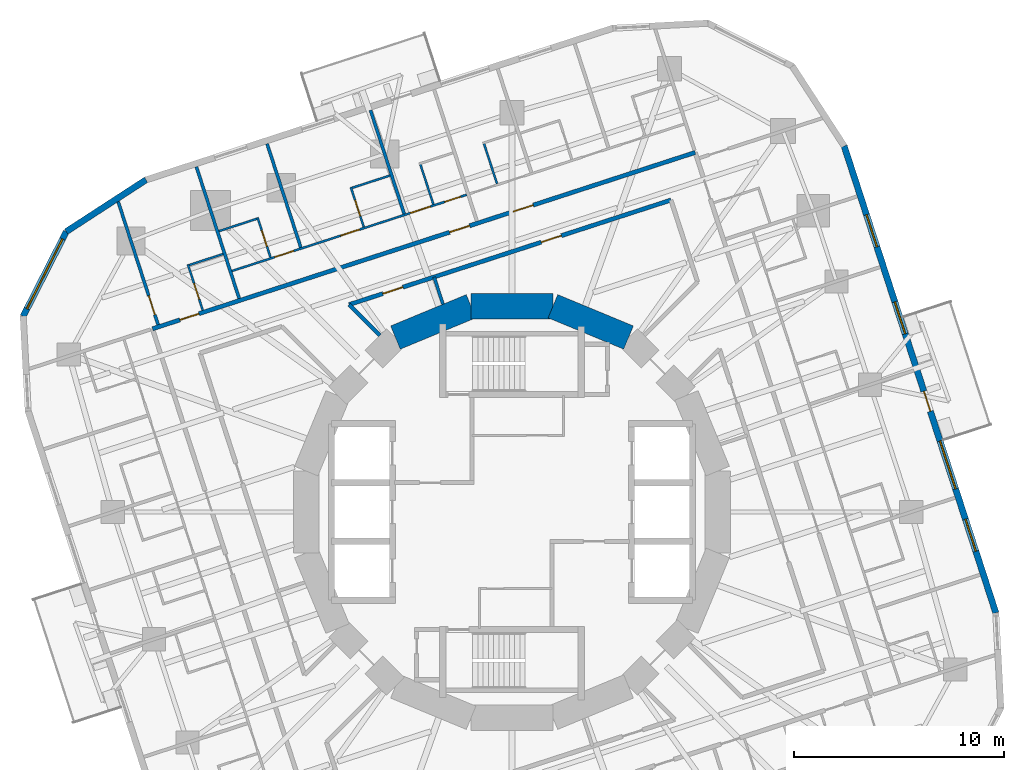
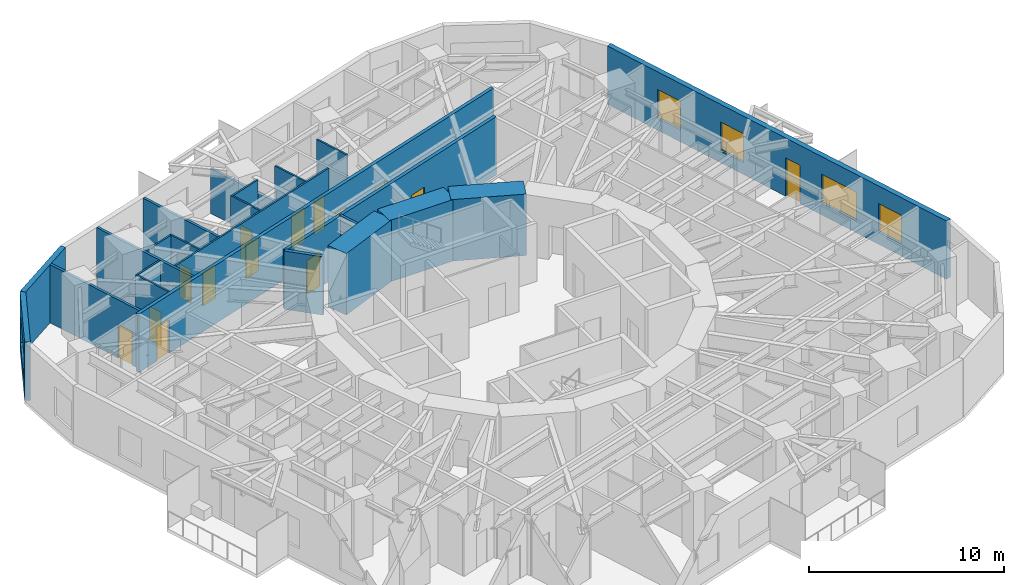
# One storey, part 9 of 13: 23 walls, 14 doors, 5 windows, 19 openings.
"""IFC4 building model written with IfcOpenShell, lengths in metres."""

from ifc_helpers import new_model, si_unit, direction, frame, frame_2d, origin, place, context, subcontext, project, spatial, rectangle, extrude, material, layer, layer_set, type_object, element, fill, save


model = new_model("IFC4")

# Units and contexts
model_context = context("Model", 3, precision=1e-05, world=origin(), true_north=direction((0.0, 1.0)))
body_context = subcontext(model_context, "Body", "Model", "MODEL_VIEW")
ifc_project = project(units=[si_unit("LENGTHUNIT", "METRE"), si_unit("AREAUNIT", "SQUARE_METRE"), si_unit("VOLUMEUNIT", "CUBIC_METRE"), si_unit("PLANEANGLEUNIT", "RADIAN"), si_unit("MASSUNIT", "GRAM", prefix="KILO")], contexts=[model_context])

# Site, building, storey
site_placement = place(None, origin())
site = spatial("IfcSite", under=ifc_project, at=site_placement, CompositionType="ELEMENT")
building_placement = place(site_placement, origin())
building = spatial("IfcBuilding", under=site, at=building_placement, Name="Nakasero Lantern House", CompositionType="ELEMENT")
storey_placement = place(building_placement, frame((0.0, 0.0, 161.050048828125)))
storey = spatial("IfcBuildingStorey", under=building, at=storey_placement, Name="L39", CompositionType="ELEMENT", Elevation=161.050048828125)

# Wall, openings, doors
ifc_material_1 = material(Name="Blockwork", Category="masonry")
ifc_layer_1 = layer(ifc_material_1, 0.10009765625)
ifc_layer_set_1 = layer_set([ifc_layer_1], Name="Cluster hall wall 100")
wall_type_1 = type_object("IfcWallType", Name="Cluster hall wall 100", PredefinedType="PARTITIONING", material=ifc_layer_set_1)
wall_1_placement = place(storey_placement, frame((-2.161865234375, 15.1220703125, 0.0), z_axis=(0.0, 0.0, 1.0), x_axis=(-0.9510590769, -0.309009113534, 0.0)))
wall_1 = element("IfcWall", 1, at=wall_1_placement, inside=storey, type_object=wall_type_1, Name="Cluster hall wall L39 HW1-1", PredefinedType="PARTITIONING", context=body_context, shape_type="SweptSolid", body=[
    extrude(rectangle(XDim=11.76416015625, YDim=0.10009765625, at=frame_2d((5.882080078125, 0.0))), origin(), (0.0, 0.0, 1.0), 3.64990234375),
])
opening_1_placement = place(wall_1_placement, frame((1.81396484375, 0.0, 0.0)))
opening_1 = element("IfcOpeningElement", 2, at=opening_1_placement, cuts=wall_1, Name="Opening D03", PredefinedType="OPENING", context=body_context, shape_type="SweptSolid", body=[
    extrude(rectangle(XDim=1.0, YDim=2.10009765625, at=frame_2d((0.5, 1.050048828125))), frame((0.0, 0.070068359375, 0.0), z_axis=(0.0, -1.0, 0.0), x_axis=(1.0, 0.0, 0.0)), (0.0, 0.0, 1.0), 0.14013671875),
])
opening_2_placement = place(wall_1_placement, frame((0.300048828125, 0.0, 0.0)))
opening_2 = element("IfcOpeningElement", 3, at=opening_2_placement, cuts=wall_1, Name="Opening D02", PredefinedType="OPENING", context=body_context, shape_type="SweptSolid", body=[
    extrude(rectangle(XDim=0.800048828125, YDim=2.10009765625, at=frame_2d((0.39990234375, 1.050048828125))), frame((0.0, 0.070068359375, 0.0), z_axis=(0.0, -1.0, 0.0), x_axis=(1.0, 0.0, 0.0)), (0.0, 0.0, 1.0), 0.14013671875),
])
opening_3_placement = place(wall_1_placement, frame((5.364013671875, 0.0, 0.0)))
opening_3 = element("IfcOpeningElement", 4, at=opening_3_placement, cuts=wall_1, Name="Opening D01", PredefinedType="OPENING", context=body_context, shape_type="SweptSolid", body=[
    extrude(rectangle(XDim=0.949951171875, YDim=2.10009765625, at=frame_2d((0.47509765625, 1.050048828125))), frame((0.0, 0.070068359375, 0.0), z_axis=(0.0, -1.0, 0.0), x_axis=(1.0, 0.0, 0.0)), (0.0, 0.0, 1.0), 0.14013671875),
])
opening_4_placement = place(wall_1_placement, frame((8.670166015625, 0.0, 0.0)))
opening_4 = element("IfcOpeningElement", 5, at=opening_4_placement, cuts=wall_1, Name="Opening D01", PredefinedType="OPENING", context=body_context, shape_type="SweptSolid", body=[
    extrude(rectangle(XDim=0.949951171875, YDim=2.10009765625, at=frame_2d((0.47509765625, 1.050048828125))), frame((0.0, 0.070068359375, 0.0), z_axis=(0.0, -1.0, 0.0), x_axis=(1.0, 0.0, 0.0)), (0.0, 0.0, 1.0), 0.14013671875),
])
ifc_material_2 = material(Name="Timber C24", Category="wood")
door_type_1 = type_object("IfcDoorType", Name="Bedroom door FD30S 950", OperationType="SINGLE_SWING_LEFT", PredefinedType="DOOR", material=ifc_material_2)
door_1_placement = place(opening_3_placement, origin())
door_1 = element("IfcDoor", 6, at=door_1_placement, inside=storey, type_object=door_type_1, Name="Door L39 D1-04", OperationType="SINGLE_SWING_LEFT", OverallHeight=2.10009765625, OverallWidth=0.949951171875, PredefinedType="DOOR", context=body_context, shape_type="SweptSolid", body=[
    extrude(rectangle(XDim=0.949951171875, YDim=2.10009765625, at=frame_2d((0.47509765625, 1.050048828125))), frame((0.0, 0.02490234375, 0.0), z_axis=(0.0, -1.0, 0.0), x_axis=(1.0, 0.0, 0.0)), (0.0, 0.0, 1.0), 0.050048828125),
])
fill(opening_3, door_1)
door_2_placement = place(opening_4_placement, origin())
door_2 = element("IfcDoor", 7, at=door_2_placement, inside=storey, type_object=door_type_1, Name="Door L39 D1-05", OperationType="SINGLE_SWING_RIGHT", OverallHeight=2.10009765625, OverallWidth=0.949951171875, PredefinedType="DOOR", context=body_context, shape_type="SweptSolid", body=[
    extrude(rectangle(XDim=0.949951171875, YDim=2.10009765625, at=frame_2d((0.47509765625, 1.050048828125))), frame((0.0, 0.02490234375, 0.0), z_axis=(0.0, -1.0, 0.0), x_axis=(1.0, 0.0, 0.0)), (0.0, 0.0, 1.0), 0.050048828125),
])
fill(opening_4, door_2)
ifc_material_3 = material(Name="Timber C24", Category="wood")
door_type_2 = type_object("IfcDoorType", Name="En-suite door 800", OperationType="SINGLE_SWING_RIGHT", PredefinedType="DOOR", material=ifc_material_3)
door_3_placement = place(opening_2_placement, origin())
door_3 = element("IfcDoor", 8, at=door_3_placement, inside=storey, type_object=door_type_2, Name="Door L39 DSH1-1", OperationType="SINGLE_SWING_LEFT", OverallHeight=2.10009765625, OverallWidth=0.800048828125, PredefinedType="DOOR", context=body_context, shape_type="SweptSolid", body=[
    extrude(rectangle(XDim=0.800048828125, YDim=2.10009765625, at=frame_2d((0.39990234375, 1.050048828125))), frame((0.0, 0.02490234375, 0.0), z_axis=(0.0, -1.0, 0.0), x_axis=(1.0, 0.0, 0.0)), (0.0, 0.0, 1.0), 0.050048828125),
])
fill(opening_2, door_3)
ifc_material_4 = material(Name="Timber C24", Category="wood")
door_type_3 = type_object("IfcDoorType", Name="Lounge door FD30S 1000", OperationType="SINGLE_SWING_LEFT", PredefinedType="DOOR", material=ifc_material_4)
door_4_placement = place(opening_1_placement, origin())
door_4 = element("IfcDoor", 9, at=door_4_placement, inside=storey, type_object=door_type_3, Name="Door L39 DH1-1", OperationType="SINGLE_SWING_LEFT", OverallHeight=2.10009765625, OverallWidth=1.0, PredefinedType="DOOR", context=body_context, shape_type="SweptSolid", body=[
    extrude(rectangle(XDim=1.0, YDim=2.10009765625, at=frame_2d((0.5, 1.050048828125))), frame((0.0, 0.02490234375, 0.0), z_axis=(0.0, -1.0, 0.0), x_axis=(1.0, 0.0, 0.0)), (0.0, 0.0, 1.0), 0.050048828125),
])
fill(opening_1, door_4)

# Walls
ifc_material_5 = material(Name="Concrete C50/60", Category="concrete")
ifc_layer_2 = layer(ifc_material_5, 1.199951171875)
ifc_layer_set_2 = layer_set([ifc_layer_2], Name="Core wall 1200")
wall_type_2 = type_object("IfcWallType", Name="Core wall 1200", PredefinedType="SHEAR", material=ifc_layer_set_2)
for number, where, z_axis, x_axis, name in (
    (10, (5.5556640625, 8.314697265625, 0.0), (0.0, 0.0, 1.0), (-0.923876507187, 0.382690736062, 0.0), "Core wall L39 facet 3"),
    (11, (1.950927734375, 9.807861328125, 0.0), (0.0, 0.0, 1.0), (-1.0, 0.0, 0.0), "Core wall L39 facet 4"),
    (12, (-1.950927734375, 9.807861328125, 0.0), (0.0, 0.0, 1.0), (-0.923876507187, -0.382690736062, 0.0), "Core wall L39 facet 5"),
):
    element("IfcWall", number, at=place(storey_placement, frame(where, z_axis=z_axis, x_axis=x_axis)), inside=storey, type_object=wall_type_2, Name=name, PredefinedType="SHEAR", context=body_context, shape_type="SweptSolid", body=[
        extrude(rectangle(XDim=3.90185546875, YDim=1.199951171875, at=frame_2d((1.950927734375, 0.0))), origin(), (0.0, 0.0, 1.0), 3.849853515625),
    ])

# Wall, openings, doors
ifc_material_6 = material(Name="Blockwork", Category="masonry")
ifc_layer_3 = layer(ifc_material_6, 0.199951171875)
ifc_layer_set_3 = layer_set([ifc_layer_3], Name="Corridor wall 200")
wall_type_3 = type_object("IfcWallType", Name="Corridor wall 200", PredefinedType="PARTITIONING", material=ifc_layer_set_3)
wall_2_placement = place(storey_placement, frame((8.731689453125, 17.136962890625, 0.0), z_axis=(0.0, 0.0, 1.0), x_axis=(-0.951056097323, -0.309018283835, 0.0)))
wall_2 = element("IfcWall", 13, at=wall_2_placement, inside=storey, type_object=wall_type_3, Name="Corridor wall L39 CW1", PredefinedType="PARTITIONING", context=body_context, shape_type="SweptSolid", body=[
    extrude(rectangle(XDim=27.199951171875, YDim=0.199951171875, at=frame_2d((13.60009765625, 0.0))), origin(), (0.0, 0.0, 1.0), 3.64990234375),
])
opening_5_placement = place(wall_2_placement, frame((8.118896484375, 0.0, 0.0)))
opening_5 = element("IfcOpeningElement", 14, at=opening_5_placement, cuts=wall_2, Name="Opening D14", PredefinedType="OPENING", context=body_context, shape_type="SweptSolid", body=[
    extrude(rectangle(XDim=1.0, YDim=2.10009765625, at=frame_2d((0.5, 1.050048828125))), frame((0.0, 0.119873046875, 0.0), z_axis=(0.0, -1.0, 0.0), x_axis=(1.0, 0.0, 0.0)), (0.0, 0.0, 1.0), 0.239990234375),
])
opening_6_placement = place(wall_2_placement, frame((11.30810546875, 0.0, 0.0)))
opening_6 = element("IfcOpeningElement", 15, at=opening_6_placement, cuts=wall_2, Name="Opening D14", PredefinedType="OPENING", context=body_context, shape_type="SweptSolid", body=[
    extrude(rectangle(XDim=1.0, YDim=2.10009765625, at=frame_2d((0.5, 1.050048828125))), frame((0.0, 0.119873046875, 0.0), z_axis=(0.0, -1.0, 0.0), x_axis=(1.0, 0.0, 0.0)), (0.0, 0.0, 1.0), 0.239990234375),
])
opening_7_placement = place(wall_2_placement, frame((24.872314453125, 0.0, 0.0)))
opening_7 = element("IfcOpeningElement", 16, at=opening_7_placement, cuts=wall_2, Name="Opening D01", PredefinedType="OPENING", context=body_context, shape_type="SweptSolid", body=[
    extrude(rectangle(XDim=0.949951171875, YDim=2.10009765625, at=frame_2d((0.47509765625, 1.050048828125))), frame((0.0, 0.119873046875, 0.0), z_axis=(0.0, -1.0, 0.0), x_axis=(1.0, 0.0, 0.0)), (0.0, 0.0, 1.0), 0.239990234375),
])
door_5_placement = place(opening_7_placement, origin())
door_5 = element("IfcDoor", 17, at=door_5_placement, inside=storey, type_object=door_type_1, Name="Door L39 D1-06", OperationType="SINGLE_SWING_RIGHT", OverallHeight=2.10009765625, OverallWidth=0.949951171875, PredefinedType="DOOR", context=body_context, shape_type="SweptSolid", body=[
    extrude(rectangle(XDim=0.949951171875, YDim=2.10009765625, at=frame_2d((0.47509765625, 1.050048828125))), frame((0.0, 0.02490234375, 0.0), z_axis=(0.0, -1.0, 0.0), x_axis=(1.0, 0.0, 0.0)), (0.0, 0.0, 1.0), 0.050048828125),
])
fill(opening_7, door_5)
ifc_material_7 = material(Name="Timber C24", Category="wood")
door_type_4 = type_object("IfcDoorType", Name="Cluster entrance door FD30S 1000", OperationType="SINGLE_SWING_LEFT", PredefinedType="DOOR", material=ifc_material_7)
door_6_placement = place(opening_5_placement, origin())
door_6 = element("IfcDoor", 18, at=door_6_placement, inside=storey, type_object=door_type_4, Name="Door L39 DF1-0", OperationType="SINGLE_SWING_LEFT", OverallHeight=2.10009765625, OverallWidth=1.0, PredefinedType="DOOR", context=body_context, shape_type="SweptSolid", body=[
    extrude(rectangle(XDim=1.0, YDim=2.10009765625, at=frame_2d((0.5, 1.050048828125))), frame((0.0, 0.02490234375, 0.0), z_axis=(0.0, -1.0, 0.0), x_axis=(1.0, 0.0, 0.0)), (0.0, 0.0, 1.0), 0.050048828125),
])
fill(opening_5, door_6)
door_7_placement = place(opening_6_placement, origin())
door_7 = element("IfcDoor", 19, at=door_7_placement, inside=storey, type_object=door_type_4, Name="Door L39 DF1-1", OperationType="SINGLE_SWING_LEFT", OverallHeight=2.10009765625, OverallWidth=1.0, PredefinedType="DOOR", context=body_context, shape_type="SweptSolid", body=[
    extrude(rectangle(XDim=1.0, YDim=2.10009765625, at=frame_2d((0.5, 1.050048828125))), frame((0.0, 0.02490234375, 0.0), z_axis=(0.0, -1.0, 0.0), x_axis=(1.0, 0.0, 0.0)), (0.0, 0.0, 1.0), 0.050048828125),
])
fill(opening_6, door_7)

wall_3_placement = place(storey_placement, frame((7.576171875, 14.868896484375, 0.0), z_axis=(0.0, 0.0, 1.0), x_axis=(-0.951056647235, -0.309016591385, 0.0)))
wall_3 = element("IfcWall", 20, at=wall_3_placement, inside=storey, type_object=wall_type_3, Name="Corridor wall L39 IW1-0", PredefinedType="PARTITIONING", context=body_context, shape_type="SweptSolid", body=[
    extrude(rectangle(XDim=16.12890625, YDim=0.199951171875, at=frame_2d((8.064453125, 0.0))), origin(), (0.0, 0.0, 1.0), 3.64990234375),
])
opening_8_placement = place(wall_3_placement, frame((5.49755859375, 0.0, 0.0)))
opening_8 = element("IfcOpeningElement", 21, at=opening_8_placement, cuts=wall_3, Name="Opening D07", PredefinedType="OPENING", context=body_context, shape_type="SweptSolid", body=[
    extrude(rectangle(XDim=1.0, YDim=2.10009765625, at=frame_2d((0.5, 1.050048828125))), frame((0.0, 0.119873046875, 0.0), z_axis=(0.0, -1.0, 0.0), x_axis=(1.0, 0.0, 0.0)), (0.0, 0.0, 1.0), 0.239990234375),
])
opening_9_placement = place(wall_3_placement, frame((13.43701171875, 0.0, 0.0)))
opening_9 = element("IfcOpeningElement", 22, at=opening_9_placement, cuts=wall_3, Name="Opening D07", PredefinedType="OPENING", context=body_context, shape_type="SweptSolid", body=[
    extrude(rectangle(XDim=1.0, YDim=2.10009765625, at=frame_2d((0.5, 1.050048828125))), frame((0.0, 0.119873046875, 0.0), z_axis=(0.0, -1.0, 0.0), x_axis=(1.0, 0.0, 0.0)), (0.0, 0.0, 1.0), 0.239990234375),
])
ifc_material_8 = material(Name="Timber C24", Category="wood")
door_type_5 = type_object("IfcDoorType", Name="Room door FD30S 1000", OperationType="SINGLE_SWING_LEFT", PredefinedType="DOOR", material=ifc_material_8)
door_8_placement = place(opening_8_placement, origin())
door_8 = element("IfcDoor", 23, at=door_8_placement, inside=storey, type_object=door_type_5, Name="Door L39 DI6", OperationType="SINGLE_SWING_LEFT", OverallHeight=2.10009765625, OverallWidth=1.0, PredefinedType="DOOR", context=body_context, shape_type="SweptSolid", body=[
    extrude(rectangle(XDim=1.0, YDim=2.10009765625, at=frame_2d((0.5, 1.050048828125))), frame((0.0, 0.02490234375, 0.0), z_axis=(0.0, -1.0, 0.0), x_axis=(1.0, 0.0, 0.0)), (0.0, 0.0, 1.0), 0.050048828125),
])
fill(opening_8, door_8)
door_9_placement = place(opening_9_placement, origin())
door_9 = element("IfcDoor", 24, at=door_9_placement, inside=storey, type_object=door_type_5, Name="Door L39 DI7", OperationType="SINGLE_SWING_RIGHT", OverallHeight=2.10009765625, OverallWidth=1.0, PredefinedType="DOOR", context=body_context, shape_type="SweptSolid", body=[
    extrude(rectangle(XDim=1.0, YDim=2.10009765625, at=frame_2d((0.5, 1.050048828125))), frame((0.0, 0.02490234375, 0.0), z_axis=(0.0, -1.0, 0.0), x_axis=(1.0, 0.0, 0.0)), (0.0, 0.0, 1.0), 0.050048828125),
])
fill(opening_9, door_9)

# Walls
wall_4_placement = place(storey_placement, frame((-6.298828125, 8.420166015625, 0.0), z_axis=(0.0, 0.0, 1.0), x_axis=(-0.707106781187, 0.707106781187, 0.0)))
element("IfcWall", 25, at=wall_4_placement, inside=storey, type_object=wall_type_3, Name="Corridor wall L39 PS06b", PredefinedType="PARTITIONING", context=body_context, shape_type="SweptSolid", body=[
    extrude(rectangle(XDim=2.0712890625, YDim=0.199951171875, at=frame_2d((1.03564453125, 0.0))), origin(), (0.0, 0.0, 1.0), 3.64990234375),
])
ifc_material_9 = material(Name="Blockwork", Category="masonry")
ifc_layer_4 = layer(ifc_material_9, 0.10009765625)
ifc_layer_set_4 = layer_set([ifc_layer_4], Name="En-suite wall 100")
wall_type_4 = type_object("IfcWallType", Name="En-suite wall 100", PredefinedType="PARTITIONING", material=ifc_layer_set_4)
for number, where, z_axis, x_axis, name in (
    (26, (-0.713623046875, 15.645263671875, 0.0), (0.0, 0.0, 1.0), (-0.308999325213, 0.951062257173, 0.0), "En-suite wall L39 SS1-0"),
    (27, (-3.74658203125, 14.65966796875, 0.0), (0.0, 0.0, 1.0), (-0.308999325213, 0.951062257173, 0.0), "En-suite wall L39 SS1-1"),
):
    element("IfcWall", number, at=place(storey_placement, frame(where, z_axis=z_axis, x_axis=x_axis)), inside=storey, type_object=wall_type_4, Name=name, PredefinedType="PARTITIONING", context=body_context, shape_type="SweptSolid", body=[
        extrude(rectangle(XDim=2.10009765625, YDim=0.10009765625, at=frame_2d((1.050048828125, 0.0))), origin(), (0.0, 0.0, 1.0), 3.64990234375),
    ])

# Wall, opening, door
wall_5_placement = place(storey_placement, frame((-7.064697265625, 13.58154296875, 0.0), z_axis=(0.0, 0.0, 1.0), x_axis=(-0.309077791808, 0.951036759863, 0.0)))
wall_5 = element("IfcWall", 28, at=wall_5_placement, inside=storey, type_object=wall_type_4, Name="En-suite wall L39 ES1-04", PredefinedType="PARTITIONING", context=body_context, shape_type="SweptSolid", body=[
    extrude(rectangle(XDim=2.0, YDim=0.10009765625, at=frame_2d((1.0, 0.0))), origin(), (0.0, 0.0, 1.0), 3.64990234375),
])
opening_10_placement = place(wall_5_placement, frame((0.550048828125, 0.0, 0.0)))
opening_10 = element("IfcOpeningElement", 29, at=opening_10_placement, cuts=wall_5, Name="Opening D02", PredefinedType="OPENING", context=body_context, shape_type="SweptSolid", body=[
    extrude(rectangle(XDim=0.800048828125, YDim=2.10009765625, at=frame_2d((0.39990234375, 1.050048828125))), frame((0.0, 0.070068359375, 0.0), z_axis=(0.0, -1.0, 0.0), x_axis=(1.0, 0.0, 0.0)), (0.0, 0.0, 1.0), 0.14013671875),
])
door_10_placement = place(opening_10_placement, origin())
door_10 = element("IfcDoor", 30, at=door_10_placement, inside=storey, type_object=door_type_2, Name="Door L39 DE1-04", OperationType="SINGLE_SWING_LEFT", OverallHeight=2.10009765625, OverallWidth=0.800048828125, PredefinedType="DOOR", context=body_context, shape_type="SweptSolid", body=[
    extrude(rectangle(XDim=0.800048828125, YDim=2.10009765625, at=frame_2d((0.39990234375, 1.050048828125))), frame((0.0, 0.02490234375, 0.0), z_axis=(0.0, -1.0, 0.0), x_axis=(1.0, 0.0, 0.0)), (0.0, 0.0, 1.0), 0.050048828125),
])
fill(opening_10, door_10)

# Wall
wall_6_placement = place(storey_placement, frame((-5.812744140625, 16.038818359375, 0.0), z_axis=(0.0, 0.0, 1.0), x_axis=(-0.951058615481, -0.309010533671, 0.0)))
element("IfcWall", 31, at=wall_6_placement, inside=storey, type_object=wall_type_4, Name="En-suite wall L39 EE1-04", PredefinedType="PARTITIONING", context=body_context, shape_type="SweptSolid", body=[
    extrude(rectangle(XDim=1.900146484375, YDim=0.10009765625, at=frame_2d((0.9501953125, 0.0))), origin(), (0.0, 0.0, 1.0), 3.64990234375),
])

# Wall, opening, door
wall_7_placement = place(storey_placement, frame((-11.51123046875, 12.13671875, 0.0), z_axis=(0.0, 0.0, 1.0), x_axis=(-0.309041914367, 0.951048418938, 0.0)))
wall_7 = element("IfcWall", 32, at=wall_7_placement, inside=storey, type_object=wall_type_4, Name="En-suite wall L39 ES1-05", PredefinedType="PARTITIONING", context=body_context, shape_type="SweptSolid", body=[
    extrude(rectangle(XDim=2.000244140625, YDim=0.10009765625, at=frame_2d((1.0, 0.0))), origin(), (0.0, 0.0, 1.0), 3.64990234375),
])
opening_11_placement = place(wall_7_placement, frame((0.550048828125, 0.0, 0.0)))
opening_11 = element("IfcOpeningElement", 33, at=opening_11_placement, cuts=wall_7, Name="Opening D02", PredefinedType="OPENING", context=body_context, shape_type="SweptSolid", body=[
    extrude(rectangle(XDim=0.800048828125, YDim=2.10009765625, at=frame_2d((0.39990234375, 1.050048828125))), frame((0.0, 0.070068359375, 0.0), z_axis=(0.0, -1.0, 0.0), x_axis=(1.0, 0.0, 0.0)), (0.0, 0.0, 1.0), 0.14013671875),
])
door_11_placement = place(opening_11_placement, origin())
door_11 = element("IfcDoor", 34, at=door_11_placement, inside=storey, type_object=door_type_2, Name="Door L39 DE1-05", OperationType="SINGLE_SWING_LEFT", OverallHeight=2.10009765625, OverallWidth=0.800048828125, PredefinedType="DOOR", context=body_context, shape_type="SweptSolid", body=[
    extrude(rectangle(XDim=0.800048828125, YDim=2.10009765625, at=frame_2d((0.39990234375, 1.050048828125))), frame((0.0, 0.02490234375, 0.0), z_axis=(0.0, -1.0, 0.0), x_axis=(1.0, 0.0, 0.0)), (0.0, 0.0, 1.0), 0.050048828125),
])
fill(opening_11, door_11)

# Wall
wall_8_placement = place(storey_placement, frame((-12.161376953125, 13.975830078125, 0.0), z_axis=(0.0, 0.0, 1.0), x_axis=(-0.951096370469, -0.308894308917, 0.0)))
element("IfcWall", 35, at=wall_8_placement, inside=storey, type_object=wall_type_4, Name="En-suite wall L39 EE1-05", PredefinedType="PARTITIONING", context=body_context, shape_type="SweptSolid", body=[
    extrude(rectangle(XDim=1.900146484375, YDim=0.10009765625, at=frame_2d((0.9501953125, 0.0))), origin(), (0.0, 0.0, 1.0), 3.64990234375),
])

# Wall, opening, door
wall_9_placement = place(storey_placement, frame((-14.740234375, 9.61572265625, 0.0), z_axis=(0.0, 0.0, 1.0), x_axis=(-0.309021261611, 0.951055129775, 0.0)))
wall_9 = element("IfcWall", 36, at=wall_9_placement, inside=storey, type_object=wall_type_4, Name="En-suite wall L39 ES1-06", PredefinedType="PARTITIONING", context=body_context, shape_type="SweptSolid", body=[
    extrude(rectangle(XDim=2.2998046875, YDim=0.10009765625, at=frame_2d((1.14990234375, 0.0))), origin(), (0.0, 0.0, 1.0), 3.64990234375),
])
opening_12_placement = place(wall_9_placement, frame((0.550048828125, 0.0, 0.0)))
opening_12 = element("IfcOpeningElement", 37, at=opening_12_placement, cuts=wall_9, Name="Opening D02", PredefinedType="OPENING", context=body_context, shape_type="SweptSolid", body=[
    extrude(rectangle(XDim=0.800048828125, YDim=2.10009765625, at=frame_2d((0.39990234375, 1.050048828125))), frame((0.0, 0.070068359375, 0.0), z_axis=(0.0, -1.0, 0.0), x_axis=(1.0, 0.0, 0.0)), (0.0, 0.0, 1.0), 0.14013671875),
])
door_12_placement = place(opening_12_placement, origin())
door_12 = element("IfcDoor", 38, at=door_12_placement, inside=storey, type_object=door_type_2, Name="Door L39 DE1-06", OperationType="SINGLE_SWING_LEFT", OverallHeight=2.10009765625, OverallWidth=0.800048828125, PredefinedType="DOOR", context=body_context, shape_type="SweptSolid", body=[
    extrude(rectangle(XDim=0.800048828125, YDim=2.10009765625, at=frame_2d((0.39990234375, 1.050048828125))), frame((0.0, 0.02490234375, 0.0), z_axis=(0.0, -1.0, 0.0), x_axis=(1.0, 0.0, 0.0)), (0.0, 0.0, 1.0), 0.050048828125),
])
fill(opening_12, door_12)

# Wall
wall_10_placement = place(storey_placement, frame((-13.771240234375, 12.29638671875, 0.0), z_axis=(0.0, 0.0, 1.0), x_axis=(-0.951040401051, -0.309066587596, 0.0)))
element("IfcWall", 39, at=wall_10_placement, inside=storey, type_object=wall_type_4, Name="En-suite wall L39 EE1-06", PredefinedType="PARTITIONING", context=body_context, shape_type="SweptSolid", body=[
    extrude(rectangle(XDim=1.699951171875, YDim=0.10009765625, at=frame_2d((0.85009765625, 0.0))), origin(), (0.0, 0.0, 1.0), 3.64990234375),
])

# Wall, openings, door, windows
ifc_material_10 = material(Name="Aluminium rainscreen on blockwork", Category="masonry")
ifc_layer_5 = layer(ifc_material_10, 0.300048828125)
ifc_layer_set_5 = layer_set([ifc_layer_5], Name="Facade wall 300")
wall_type_5 = type_object("IfcWallType", Name="Facade wall 300", PredefinedType="SOLIDWALL", material=ifc_layer_set_5)
wall_11_placement = place(storey_placement, frame((23.064697265625, -4.807861328125, 0.0), z_axis=(0.0, 0.0, 1.0), x_axis=(-0.30902591324, 0.951053618334, 0.0)))
wall_11 = element("IfcWall", 40, at=wall_11_placement, inside=storey, type_object=wall_type_5, Name="Facade wall L39 FW0S", PredefinedType="SOLIDWALL", context=body_context, shape_type="SweptSolid", body=[
    extrude(rectangle(XDim=23.39990234375, YDim=0.300048828125, at=frame_2d((11.699951171875, 0.0))), origin(), (0.0, 0.0, 1.0), 3.64990234375),
])
opening_13_placement = place(wall_11_placement, frame((3.089111328125, 0.0, 0.75)))
opening_13 = element("IfcOpeningElement", 41, at=opening_13_placement, cuts=wall_11, Name="Opening W01", PredefinedType="OPENING", context=body_context, shape_type="SweptSolid", body=[
    extrude(rectangle(XDim=1.60009765625, YDim=1.800048828125, at=frame_2d((0.800048828125, 0.89990234375))), frame((0.0, 0.169921875, 0.0), z_axis=(0.0, -1.0, 0.0), x_axis=(1.0, 0.0, 0.0)), (0.0, 0.0, 1.0), 0.340087890625),
])
opening_14_placement = place(wall_11_placement, frame((13.987548828125, 0.0, 0.75)))
opening_14 = element("IfcOpeningElement", 42, at=opening_14_placement, cuts=wall_11, Name="Opening W01", PredefinedType="OPENING", context=body_context, shape_type="SweptSolid", body=[
    extrude(rectangle(XDim=1.60009765625, YDim=1.800048828125, at=frame_2d((0.800048828125, 0.89990234375))), frame((0.0, 0.169921875, 0.0), z_axis=(0.0, -1.0, 0.0), x_axis=(1.0, 0.0, 0.0)), (0.0, 0.0, 1.0), 0.340087890625),
])
opening_15_placement = place(wall_11_placement, frame((18.350341796875, 0.0, 0.75)))
opening_15 = element("IfcOpeningElement", 43, at=opening_15_placement, cuts=wall_11, Name="Opening W01", PredefinedType="OPENING", context=body_context, shape_type="SweptSolid", body=[
    extrude(rectangle(XDim=1.60009765625, YDim=1.800048828125, at=frame_2d((0.800048828125, 0.89990234375))), frame((0.0, 0.169921875, 0.0), z_axis=(0.0, -1.0, 0.0), x_axis=(1.0, 0.0, 0.0)), (0.0, 0.0, 1.0), 0.340087890625),
])
opening_16_placement = place(wall_11_placement, frame((6.21337890625, 0.0, 0.75)))
opening_16 = element("IfcOpeningElement", 44, at=opening_16_placement, cuts=wall_11, Name="Opening W03", PredefinedType="OPENING", context=body_context, shape_type="SweptSolid", body=[
    extrude(rectangle(XDim=2.39990234375, YDim=1.800048828125, at=frame_2d((1.199951171875, 0.89990234375))), frame((0.0, 0.169921875, 0.0), z_axis=(0.0, -1.0, 0.0), x_axis=(1.0, 0.0, 0.0)), (0.0, 0.0, 1.0), 0.340087890625),
])
opening_17_placement = place(wall_11_placement, frame((10.1025390625, 0.0, 0.0)))
opening_17 = element("IfcOpeningElement", 45, at=opening_17_placement, cuts=wall_11, Name="Opening D04", PredefinedType="OPENING", context=body_context, shape_type="SweptSolid", body=[
    extrude(rectangle(XDim=1.0, YDim=2.39990234375, at=frame_2d((0.5, 1.199951171875))), frame((0.0, 0.169921875, 0.0), z_axis=(0.0, -1.0, 0.0), x_axis=(1.0, 0.0, 0.0)), (0.0, 0.0, 1.0), 0.340087890625),
])
ifc_material_11 = material(Name="Aluminium 6063-T6 and glass", Category="aluminium")
door_type_6 = type_object("IfcDoorType", Name="Balcony door 1000x2400", OperationType="SINGLE_SWING_RIGHT", PredefinedType="DOOR", material=ifc_material_11)
door_13_placement = place(opening_17_placement, origin())
door_13 = element("IfcDoor", 46, at=door_13_placement, inside=storey, type_object=door_type_6, Name="Balcony door L39 DB0", OperationType="SINGLE_SWING_RIGHT", OverallHeight=2.39990234375, OverallWidth=1.0, PredefinedType="DOOR", context=body_context, shape_type="SweptSolid", body=[
    extrude(rectangle(XDim=1.0, YDim=2.39990234375, at=frame_2d((0.5, 1.199951171875))), frame((0.0, 0.02490234375, 0.0), z_axis=(0.0, -1.0, 0.0), x_axis=(1.0, 0.0, 0.0)), (0.0, 0.0, 1.0), 0.050048828125),
])
fill(opening_17, door_13)
ifc_material_12 = material(Name="Aluminium 6063-T6 and glass", Category="aluminium")
window_type_1 = type_object("IfcWindowType", Name="Bedroom window 1600x1800", PartitioningType="SINGLE_PANEL", PredefinedType="WINDOW", material=ifc_material_12)
window_1_placement = place(opening_13_placement, origin())
window_1 = element("IfcWindow", 47, at=window_1_placement, inside=storey, type_object=window_type_1, Name="Window L39 WN0-01", OverallHeight=1.800048828125, OverallWidth=1.60009765625, PartitioningType="SINGLE_PANEL", PredefinedType="WINDOW", context=body_context, shape_type="SweptSolid", body=[
    extrude(rectangle(XDim=1.60009765625, YDim=1.800048828125, at=frame_2d((0.800048828125, 0.89990234375))), frame((0.0, 0.030029296875, 0.0), z_axis=(0.0, -1.0, 0.0), x_axis=(1.0, 0.0, 0.0)), (0.0, 0.0, 1.0), 0.06005859375),
])
fill(opening_13, window_1)
window_2_placement = place(opening_14_placement, origin())
window_2 = element("IfcWindow", 48, at=window_2_placement, inside=storey, type_object=window_type_1, Name="Window L39 WN0-04", OverallHeight=1.800048828125, OverallWidth=1.60009765625, PartitioningType="SINGLE_PANEL", PredefinedType="WINDOW", context=body_context, shape_type="SweptSolid", body=[
    extrude(rectangle(XDim=1.60009765625, YDim=1.800048828125, at=frame_2d((0.800048828125, 0.89990234375))), frame((0.0, 0.030029296875, 0.0), z_axis=(0.0, -1.0, 0.0), x_axis=(1.0, 0.0, 0.0)), (0.0, 0.0, 1.0), 0.06005859375),
])
fill(opening_14, window_2)
window_3_placement = place(opening_15_placement, origin())
window_3 = element("IfcWindow", 49, at=window_3_placement, inside=storey, type_object=window_type_1, Name="Window L39 WN0-05", OverallHeight=1.800048828125, OverallWidth=1.60009765625, PartitioningType="SINGLE_PANEL", PredefinedType="WINDOW", context=body_context, shape_type="SweptSolid", body=[
    extrude(rectangle(XDim=1.60009765625, YDim=1.800048828125, at=frame_2d((0.800048828125, 0.89990234375))), frame((0.0, 0.030029296875, 0.0), z_axis=(0.0, -1.0, 0.0), x_axis=(1.0, 0.0, 0.0)), (0.0, 0.0, 1.0), 0.06005859375),
])
fill(opening_15, window_3)
ifc_material_13 = material(Name="Aluminium 6063-T6 and glass", Category="aluminium")
window_type_2 = type_object("IfcWindowType", Name="Lounge window 2400x1800", PartitioningType="SINGLE_PANEL", PredefinedType="WINDOW", material=ifc_material_13)
window_4_placement = place(opening_16_placement, origin())
window_4 = element("IfcWindow", 50, at=window_4_placement, inside=storey, type_object=window_type_2, Name="Window L39 WK0", OverallHeight=1.800048828125, OverallWidth=2.39990234375, PartitioningType="SINGLE_PANEL", PredefinedType="WINDOW", context=body_context, shape_type="SweptSolid", body=[
    extrude(rectangle(XDim=2.39990234375, YDim=1.800048828125, at=frame_2d((1.199951171875, 0.89990234375))), frame((0.0, 0.030029296875, 0.0), z_axis=(0.0, -1.0, 0.0), x_axis=(1.0, 0.0, 0.0)), (0.0, 0.0, 1.0), 0.06005859375),
])
fill(opening_16, window_4)

# Wall
wall_12_placement = place(storey_placement, frame((-17.44677734375, 15.83349609375, 0.0), z_axis=(0.0, 0.0, 1.0), x_axis=(-0.838673836229, -0.544634002266, 0.0)))
element("IfcWall", 51, at=wall_12_placement, inside=storey, type_object=wall_type_5, Name="Facade wall L39 FW1C1", PredefinedType="SOLIDWALL", context=body_context, shape_type="SweptSolid", body=[
    extrude(rectangle(XDim=4.529296875, YDim=0.300048828125, at=frame_2d((2.2646484375, 0.0))), origin(), (0.0, 0.0, 1.0), 3.64990234375),
])

# Wall, opening, window
wall_13_placement = place(storey_placement, frame((-21.245361328125, 13.36669921875, 0.0), z_axis=(0.0, 0.0, 1.0), x_axis=(-0.454013792196, -0.890994655705, 0.0)))
wall_13 = element("IfcWall", 52, at=wall_13_placement, inside=storey, type_object=wall_type_5, Name="Facade wall L39 FW1C2", PredefinedType="SOLIDWALL", context=body_context, shape_type="SweptSolid", body=[
    extrude(rectangle(XDim=4.529296875, YDim=0.300048828125, at=frame_2d((2.2646484375, 0.0))), origin(), (0.0, 0.0, 1.0), 3.64990234375),
])
opening_18_placement = place(wall_13_placement, frame((0.39990234375, 0.0, 0.75)))
opening_18 = element("IfcOpeningElement", 53, at=opening_18_placement, cuts=wall_13, Name="Opening W237A", PredefinedType="OPENING", context=body_context, shape_type="SweptSolid", body=[
    extrude(rectangle(XDim=3.72900390625, YDim=1.800048828125, at=frame_2d((1.864501953125, 0.89990234375))), frame((0.0, 0.169921875, 0.0), z_axis=(0.0, -1.0, 0.0), x_axis=(1.0, 0.0, 0.0)), (0.0, 0.0, 1.0), 0.340087890625),
])
ifc_material_14 = material(Name="Aluminium 6063-T6 and glass", Category="aluminium")
window_type_3 = type_object("IfcWindowType", Name="Corner window 3729x1800", PartitioningType="SINGLE_PANEL", PredefinedType="WINDOW", material=ifc_material_14)
window_5_placement = place(opening_18_placement, origin())
window_5 = element("IfcWindow", 54, at=window_5_placement, inside=storey, type_object=window_type_3, Name="Window L39 WC1", OverallHeight=1.800048828125, OverallWidth=3.72900390625, PartitioningType="SINGLE_PANEL", PredefinedType="WINDOW", context=body_context, shape_type="SweptSolid", body=[
    extrude(rectangle(XDim=3.72900390625, YDim=1.800048828125, at=frame_2d((1.864501953125, 0.89990234375))), frame((0.0, 0.030029296875, 0.0), z_axis=(0.0, -1.0, 0.0), x_axis=(1.0, 0.0, 0.0)), (0.0, 0.0, 1.0), 0.06005859375),
])
fill(opening_18, window_5)

# Walls
ifc_material_15 = material(Name="Blockwork", Category="masonry")
ifc_layer_6 = layer(ifc_material_15, 0.14990234375)
ifc_layer_set_6 = layer_set([ifc_layer_6], Name="Party wall 150")
wall_type_6 = type_object("IfcWallType", Name="Party wall 150", PredefinedType="PARTITIONING", material=ifc_layer_set_6)
wall_14_placement = place(storey_placement, frame((-5.138916015625, 14.207275390625, 0.0), z_axis=(0.0, 0.0, 1.0), x_axis=(-0.309021313752, 0.951055112834, 0.0)))
element("IfcWall", 55, at=wall_14_placement, inside=storey, type_object=wall_type_6, Name="Party wall L39 PW1-04", PredefinedType="PARTITIONING", context=body_context, shape_type="SweptSolid", body=[
    extrude(rectangle(XDim=5.2001953125, YDim=0.14990234375, at=frame_2d((2.60009765625, 0.0))), origin(), (0.0, 0.0, 1.0), 2.809326171875),
])
wall_15_placement = place(storey_placement, frame((-10.06640625, 12.606201171875, 0.0), z_axis=(0.0, 0.0, 1.0), x_axis=(-0.309021313752, 0.951055112834, 0.0)))
element("IfcWall", 56, at=wall_15_placement, inside=storey, type_object=wall_type_6, Name="Party wall L39 PW1-05", PredefinedType="PARTITIONING", context=body_context, shape_type="SweptSolid", body=[
    extrude(rectangle(XDim=5.2001953125, YDim=0.14990234375, at=frame_2d((2.60009765625, 0.0))), origin(), (0.0, 0.0, 1.0), 3.64990234375),
])
wall_16_placement = place(storey_placement, frame((-13.004638671875, 10.1796875, 0.0), z_axis=(0.0, 0.0, 1.0), x_axis=(-0.309027520945, 0.951053095941, 0.0)))
element("IfcWall", 57, at=wall_16_placement, inside=storey, type_object=wall_type_6, Name="Party wall L39 PW1-06", PredefinedType="PARTITIONING", context=body_context, shape_type="SweptSolid", body=[
    extrude(rectangle(XDim=6.599853515625, YDim=0.14990234375, at=frame_2d((3.2998046875, 0.0))), origin(), (0.0, 0.0, 1.0), 3.64990234375),
])

# Wall, opening, door
wall_17_placement = place(storey_placement, frame((-16.8662109375, 8.9248046875, 0.0), z_axis=(0.0, 0.0, 1.0), x_axis=(-0.309031452366, 0.951051818488, 0.0)))
wall_17 = element("IfcWall", 58, at=wall_17_placement, inside=storey, type_object=wall_type_6, Name="Party wall L39 PC1", PredefinedType="PARTITIONING", context=body_context, shape_type="SweptSolid", body=[
    extrude(rectangle(XDim=6.165283203125, YDim=0.14990234375, at=frame_2d((3.08251953125, 0.0))), origin(), (0.0, 0.0, 1.0), 3.64990234375),
])
opening_19_placement = place(wall_17_placement, frame((0.5, 0.0, 0.0)))
opening_19 = element("IfcOpeningElement", 59, at=opening_19_placement, cuts=wall_17, Name="Opening D01", PredefinedType="OPENING", context=body_context, shape_type="SweptSolid", body=[
    extrude(rectangle(XDim=0.949951171875, YDim=2.10009765625, at=frame_2d((0.47509765625, 1.050048828125))), frame((0.0, 0.094970703125, 0.0), z_axis=(0.0, -1.0, 0.0), x_axis=(1.0, 0.0, 0.0)), (0.0, 0.0, 1.0), 0.18994140625),
])
door_14_placement = place(opening_19_placement, origin())
door_14 = element("IfcDoor", 60, at=door_14_placement, inside=storey, type_object=door_type_1, Name="Door L39 DC1", OperationType="SINGLE_SWING_LEFT", OverallHeight=2.10009765625, OverallWidth=0.949951171875, PredefinedType="DOOR", context=body_context, shape_type="SweptSolid", body=[
    extrude(rectangle(XDim=0.949951171875, YDim=2.10009765625, at=frame_2d((0.47509765625, 1.050048828125))), frame((0.0, 0.02490234375, 0.0), z_axis=(0.0, -1.0, 0.0), x_axis=(1.0, 0.0, 0.0)), (0.0, 0.0, 1.0), 0.050048828125),
])
fill(opening_19, door_14)

# Wall
wall_18_placement = place(storey_placement, frame((-3.712890625, 11.200927734375, 0.0), z_axis=(0.0, 0.0, 1.0), x_axis=(0.308924371384, -0.951086606343, 0.0)))
element("IfcWall", 61, at=wall_18_placement, inside=storey, type_object=wall_type_6, Name="Party wall L39 IM1", PredefinedType="PARTITIONING", context=body_context, shape_type="SweptSolid", body=[
    extrude(rectangle(XDim=1.36572265625, YDim=0.14990234375, at=frame_2d((0.682861328125, 0.0))), origin(), (0.0, 0.0, 1.0), 3.64990234375),
])

save(model, "model.ifc")
